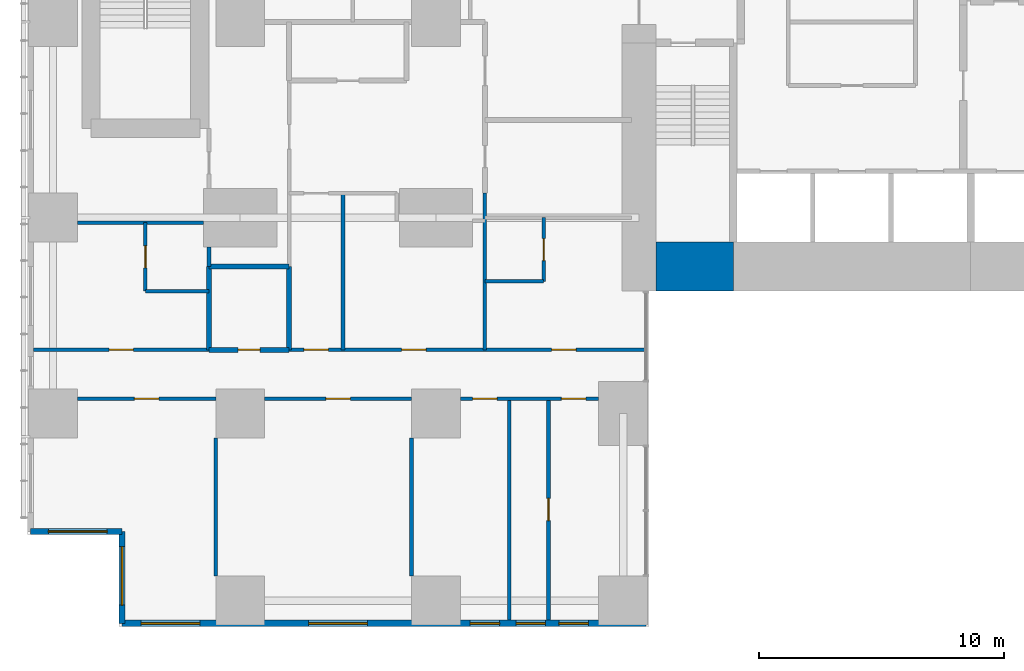
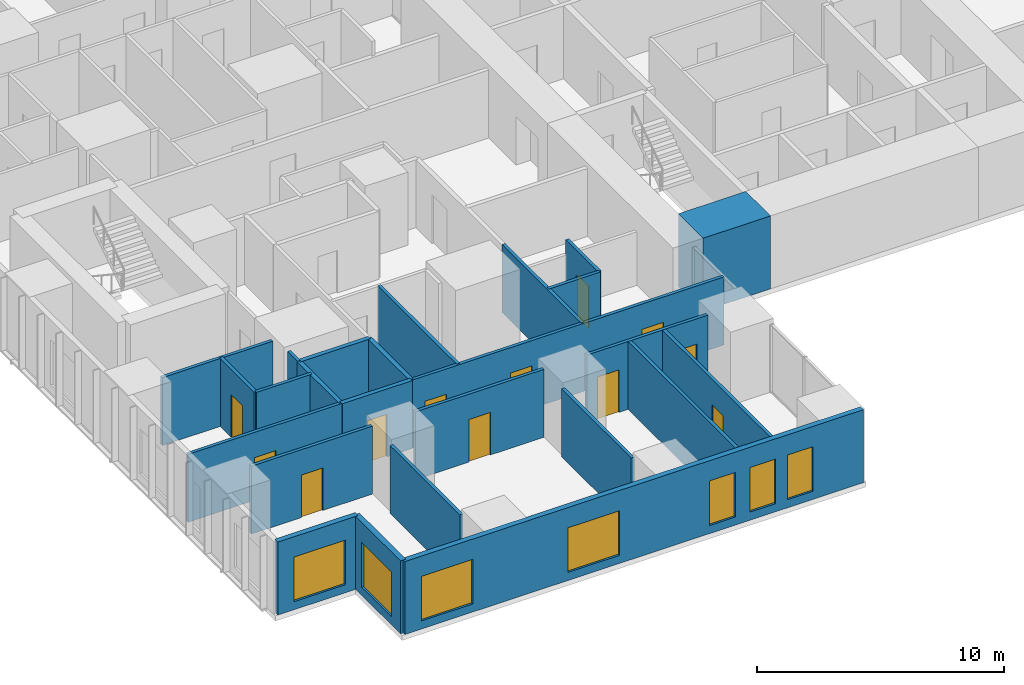
# One storey, part 12 of 20: 25 walls, 12 doors, 7 windows, 19 openings.
"""IFC4 building model written with IfcOpenShell, lengths in metres."""

from ifc_helpers import new_model, si_unit, direction, frame, frame_2d, origin, place, context, subcontext, project, spatial, rectangle, extrude, material, layer, layer_set, type_object, element, fill, save


model = new_model("IFC4")

# Units and contexts
model_context = context("Model", 3, precision=1e-05, world=origin(), true_north=direction((0.0, 1.0)))
body_context = subcontext(model_context, "Body", "Model", "MODEL_VIEW")
ifc_project = project(units=[si_unit("LENGTHUNIT", "METRE"), si_unit("AREAUNIT", "SQUARE_METRE"), si_unit("VOLUMEUNIT", "CUBIC_METRE"), si_unit("PLANEANGLEUNIT", "RADIAN"), si_unit("MASSUNIT", "GRAM", prefix="KILO")], contexts=[model_context])

# Site, building, storey
site_placement = place(None, origin())
site = spatial("IfcSite", under=ifc_project, at=site_placement, CompositionType="ELEMENT")
building_placement = place(site_placement, origin())
building = spatial("IfcBuilding", under=site, at=building_placement, Name="Cleftline Residences", CompositionType="ELEMENT")
storey_placement = place(building_placement, frame((0.0, 0.0, 157.39990234375)))
storey = spatial("IfcBuildingStorey", under=building, at=storey_placement, Name="L41", CompositionType="ELEMENT", Elevation=157.39990234375)

# Wall
ifc_material_1 = material(Name="Concrete B70", Category="concrete")
ifc_layer_1 = layer(ifc_material_1, 2.0)
ifc_layer_set_1 = layer_set([ifc_layer_1], Name="CORE WALL 2000")
wall_type_1 = type_object("IfcWallType", Name="CORE WALL 2000", PredefinedType="SHEAR", material=ifc_layer_set_1)
wall_1_placement = place(storey_placement, frame((25.0, 14.0, 0.0), z_axis=(0.0, 0.0, 1.0), x_axis=(1.0, 0.0, 0.0)))
element("IfcWall", 1, at=wall_1_placement, inside=storey, type_object=wall_type_1, Name="Core wall S1", PredefinedType="SHEAR", context=body_context, shape_type="SweptSolid", body=[
    extrude(rectangle(XDim=3.14990234375, YDim=2.0, at=frame_2d((1.574951171875, 0.0))), origin(), (0.0, 0.0, 1.0), 3.60009765625),
])

# Wall, opening, window
ifc_material_2 = material(Name="Rendered reinforced concrete blockwork", Category="masonry")
ifc_layer_2 = layer(ifc_material_2, 0.25)
ifc_layer_set_2 = layer_set([ifc_layer_2], Name="EXTERNAL WALL 250")
wall_type_2 = type_object("IfcWallType", Name="EXTERNAL WALL 250", PredefinedType="SOLIDWALL", material=ifc_layer_set_2)
wall_2_placement = place(storey_placement, frame((-0.574951171875, 3.175048828125, 0.0), z_axis=(0.0, 0.0, 1.0), x_axis=(1.0, 0.0, 0.0)))
wall_2 = element("IfcWall", 2, at=wall_2_placement, inside=storey, type_object=wall_type_2, Name="External wall", PredefinedType="SOLIDWALL", context=body_context, shape_type="SweptSolid", body=[
    extrude(rectangle(XDim=3.75, YDim=0.25, at=frame_2d((1.875, 0.0))), origin(), (0.0, 0.0, 1.0), 3.60009765625),
])
opening_1_placement = place(wall_2_placement, frame((0.737548828125, 0.0, 0.39990234375)))
opening_1 = element("IfcOpeningElement", 3, at=opening_1_placement, cuts=wall_2, Name="Opening W12", PredefinedType="OPENING", context=body_context, shape_type="SweptSolid", body=[
    extrude(rectangle(XDim=2.39990234375, YDim=2.199951171875, at=frame_2d((1.199951171875, 1.10009765625))), frame((0.0, 0.135009765625, 0.0), z_axis=(0.0, -1.0, 0.0), x_axis=(1.0, 0.0, 0.0)), (0.0, 0.0, 1.0), 0.27001953125),
])
ifc_material_3 = material(Name="Aluminium frame, clear double glazing", Category="aluminium")
window_type_1 = type_object("IfcWindowType", Name="WINDOW 2400X2200", PartitioningType="DOUBLE_PANEL_VERTICAL", PredefinedType="WINDOW", material=ifc_material_3)
window_1_placement = place(opening_1_placement, origin())
window_1 = element("IfcWindow", 4, at=window_1_placement, inside=storey, type_object=window_type_1, Name="Window", OverallHeight=2.199951171875, OverallWidth=2.39990234375, PartitioningType="SINGLE_PANEL", PredefinedType="WINDOW", context=body_context, shape_type="SweptSolid", body=[
    extrude(rectangle(XDim=2.39990234375, YDim=2.199951171875, at=frame_2d((1.199951171875, 1.10009765625))), frame((0.0, 0.030029296875, 0.0), z_axis=(0.0, -1.0, 0.0), x_axis=(1.0, 0.0, 0.0)), (0.0, 0.0, 1.0), 0.06005859375),
])
fill(opening_1, window_1)

wall_3_placement = place(storey_placement, frame((3.175048828125, 3.175048828125, 0.0), z_axis=(0.0, 0.0, 1.0), x_axis=(0.0, -1.0, 0.0)))
wall_3 = element("IfcWall", 5, at=wall_3_placement, inside=storey, type_object=wall_type_2, Name="External wall", PredefinedType="SOLIDWALL", context=body_context, shape_type="SweptSolid", body=[
    extrude(rectangle(XDim=3.75, YDim=0.25, at=frame_2d((1.875, 0.0))), origin(), (0.0, 0.0, 1.0), 3.60009765625),
])
opening_2_placement = place(wall_3_placement, frame((0.612548828125, 0.0, 0.39990234375)))
opening_2 = element("IfcOpeningElement", 6, at=opening_2_placement, cuts=wall_3, Name="Opening W12", PredefinedType="OPENING", context=body_context, shape_type="SweptSolid", body=[
    extrude(rectangle(XDim=2.39990234375, YDim=2.199951171875, at=frame_2d((1.199951171875, 1.10009765625))), frame((0.0, 0.135009765625, 0.0), z_axis=(0.0, -1.0, 0.0), x_axis=(1.0, 0.0, 0.0)), (0.0, 0.0, 1.0), 0.27001953125),
])
window_2_placement = place(opening_2_placement, origin())
window_2 = element("IfcWindow", 7, at=window_2_placement, inside=storey, type_object=window_type_1, Name="Window", OverallHeight=2.199951171875, OverallWidth=2.39990234375, PartitioningType="SINGLE_PANEL", PredefinedType="WINDOW", context=body_context, shape_type="SweptSolid", body=[
    extrude(rectangle(XDim=2.39990234375, YDim=2.199951171875, at=frame_2d((1.199951171875, 1.10009765625))), frame((0.0, 0.030029296875, 0.0), z_axis=(0.0, -1.0, 0.0), x_axis=(1.0, 0.0, 0.0)), (0.0, 0.0, 1.0), 0.06005859375),
])
fill(opening_2, window_2)

# Wall, openings, windows
wall_4_placement = place(storey_placement, frame((3.175048828125, -0.574951171875, 0.0), z_axis=(0.0, 0.0, 1.0), x_axis=(1.0, 0.0, 0.0)))
wall_4 = element("IfcWall", 8, at=wall_4_placement, inside=storey, type_object=wall_type_2, Name="External wall", PredefinedType="SOLIDWALL", context=body_context, shape_type="SweptSolid", body=[
    extrude(rectangle(XDim=21.39990234375, YDim=0.25, at=frame_2d((10.699951171875, 0.0))), origin(), (0.0, 0.0, 1.0), 3.60009765625),
])
opening_3_placement = place(wall_4_placement, frame((0.77490234375, 0.0, 0.39990234375)))
opening_3 = element("IfcOpeningElement", 9, at=opening_3_placement, cuts=wall_4, Name="Opening W12", PredefinedType="OPENING", context=body_context, shape_type="SweptSolid", body=[
    extrude(rectangle(XDim=2.39990234375, YDim=2.199951171875, at=frame_2d((1.199951171875, 1.10009765625))), frame((0.0, 0.135009765625, 0.0), z_axis=(0.0, -1.0, 0.0), x_axis=(1.0, 0.0, 0.0)), (0.0, 0.0, 1.0), 0.27001953125),
])
opening_4_placement = place(wall_4_placement, frame((7.625, 0.0, 0.39990234375)))
opening_4 = element("IfcOpeningElement", 10, at=opening_4_placement, cuts=wall_4, Name="Opening W12", PredefinedType="OPENING", context=body_context, shape_type="SweptSolid", body=[
    extrude(rectangle(XDim=2.39990234375, YDim=2.199951171875, at=frame_2d((1.199951171875, 1.10009765625))), frame((0.0, 0.135009765625, 0.0), z_axis=(0.0, -1.0, 0.0), x_axis=(1.0, 0.0, 0.0)), (0.0, 0.0, 1.0), 0.27001953125),
])
opening_5_placement = place(wall_4_placement, frame((14.22509765625, 0.0, 0.39990234375)))
opening_5 = element("IfcOpeningElement", 11, at=opening_5_placement, cuts=wall_4, Name="Opening W11", PredefinedType="OPENING", context=body_context, shape_type="SweptSolid", body=[
    extrude(rectangle(XDim=1.199951171875, YDim=2.199951171875, at=frame_2d((0.60009765625, 1.10009765625))), frame((0.0, 0.135009765625, 0.0), z_axis=(0.0, -1.0, 0.0), x_axis=(1.0, 0.0, 0.0)), (0.0, 0.0, 1.0), 0.27001953125),
])
opening_6_placement = place(wall_4_placement, frame((16.10009765625, 0.0, 0.39990234375)))
opening_6 = element("IfcOpeningElement", 12, at=opening_6_placement, cuts=wall_4, Name="Opening W11", PredefinedType="OPENING", context=body_context, shape_type="SweptSolid", body=[
    extrude(rectangle(XDim=1.199951171875, YDim=2.199951171875, at=frame_2d((0.60009765625, 1.10009765625))), frame((0.0, 0.135009765625, 0.0), z_axis=(0.0, -1.0, 0.0), x_axis=(1.0, 0.0, 0.0)), (0.0, 0.0, 1.0), 0.27001953125),
])
opening_7_placement = place(wall_4_placement, frame((17.85009765625, 0.0, 0.39990234375)))
opening_7 = element("IfcOpeningElement", 13, at=opening_7_placement, cuts=wall_4, Name="Opening W11", PredefinedType="OPENING", context=body_context, shape_type="SweptSolid", body=[
    extrude(rectangle(XDim=1.199951171875, YDim=2.199951171875, at=frame_2d((0.60009765625, 1.10009765625))), frame((0.0, 0.135009765625, 0.0), z_axis=(0.0, -1.0, 0.0), x_axis=(1.0, 0.0, 0.0)), (0.0, 0.0, 1.0), 0.27001953125),
])
ifc_material_4 = material(Name="Aluminium frame, clear double glazing", Category="aluminium")
window_type_2 = type_object("IfcWindowType", Name="WINDOW 1200X2200", PartitioningType="DOUBLE_PANEL_VERTICAL", PredefinedType="WINDOW", material=ifc_material_4)
window_3_placement = place(opening_5_placement, origin())
window_3 = element("IfcWindow", 14, at=window_3_placement, inside=storey, type_object=window_type_2, Name="Window", OverallHeight=2.199951171875, OverallWidth=1.199951171875, PartitioningType="SINGLE_PANEL", PredefinedType="WINDOW", context=body_context, shape_type="SweptSolid", body=[
    extrude(rectangle(XDim=1.199951171875, YDim=2.199951171875, at=frame_2d((0.60009765625, 1.10009765625))), frame((0.0, 0.030029296875, 0.0), z_axis=(0.0, -1.0, 0.0), x_axis=(1.0, 0.0, 0.0)), (0.0, 0.0, 1.0), 0.06005859375),
])
fill(opening_5, window_3)
window_4_placement = place(opening_6_placement, origin())
window_4 = element("IfcWindow", 15, at=window_4_placement, inside=storey, type_object=window_type_2, Name="Window", OverallHeight=2.199951171875, OverallWidth=1.199951171875, PartitioningType="SINGLE_PANEL", PredefinedType="WINDOW", context=body_context, shape_type="SweptSolid", body=[
    extrude(rectangle(XDim=1.199951171875, YDim=2.199951171875, at=frame_2d((0.60009765625, 1.10009765625))), frame((0.0, 0.030029296875, 0.0), z_axis=(0.0, -1.0, 0.0), x_axis=(1.0, 0.0, 0.0)), (0.0, 0.0, 1.0), 0.06005859375),
])
fill(opening_6, window_4)
window_5_placement = place(opening_7_placement, origin())
window_5 = element("IfcWindow", 16, at=window_5_placement, inside=storey, type_object=window_type_2, Name="Window", OverallHeight=2.199951171875, OverallWidth=1.199951171875, PartitioningType="SINGLE_PANEL", PredefinedType="WINDOW", context=body_context, shape_type="SweptSolid", body=[
    extrude(rectangle(XDim=1.199951171875, YDim=2.199951171875, at=frame_2d((0.60009765625, 1.10009765625))), frame((0.0, 0.030029296875, 0.0), z_axis=(0.0, -1.0, 0.0), x_axis=(1.0, 0.0, 0.0)), (0.0, 0.0, 1.0), 0.06005859375),
])
fill(opening_7, window_5)
window_6_placement = place(opening_3_placement, origin())
window_6 = element("IfcWindow", 17, at=window_6_placement, inside=storey, type_object=window_type_1, Name="Window", OverallHeight=2.199951171875, OverallWidth=2.39990234375, PartitioningType="SINGLE_PANEL", PredefinedType="WINDOW", context=body_context, shape_type="SweptSolid", body=[
    extrude(rectangle(XDim=2.39990234375, YDim=2.199951171875, at=frame_2d((1.199951171875, 1.10009765625))), frame((0.0, 0.030029296875, 0.0), z_axis=(0.0, -1.0, 0.0), x_axis=(1.0, 0.0, 0.0)), (0.0, 0.0, 1.0), 0.06005859375),
])
fill(opening_3, window_6)
window_7_placement = place(opening_4_placement, origin())
window_7 = element("IfcWindow", 18, at=window_7_placement, inside=storey, type_object=window_type_1, Name="Window", OverallHeight=2.199951171875, OverallWidth=2.39990234375, PartitioningType="SINGLE_PANEL", PredefinedType="WINDOW", context=body_context, shape_type="SweptSolid", body=[
    extrude(rectangle(XDim=2.39990234375, YDim=2.199951171875, at=frame_2d((1.199951171875, 1.10009765625))), frame((0.0, 0.030029296875, 0.0), z_axis=(0.0, -1.0, 0.0), x_axis=(1.0, 0.0, 0.0)), (0.0, 0.0, 1.0), 0.06005859375),
])
fill(opening_4, window_7)

# Wall, opening, door
ifc_material_5 = material(Name="Concrete blockwork, fire rated", Category="masonry")
ifc_layer_3 = layer(ifc_material_5, 0.199951171875)
ifc_layer_set_3 = layer_set([ifc_layer_3], Name="FIRE WALL 200")
wall_type_3 = type_object("IfcWallType", Name="FIRE WALL 200", PredefinedType="PARTITIONING", material=ifc_layer_set_3)
wall_5_placement = place(storey_placement, frame((6.72509765625, 10.60009765625, 0.0), z_axis=(0.0, 0.0, 1.0), x_axis=(1.0, 0.0, 0.0)))
wall_5 = element("IfcWall", 19, at=wall_5_placement, inside=storey, type_object=wall_type_3, Name="Fire separating wall", PredefinedType="PARTITIONING", context=body_context, shape_type="SweptSolid", body=[
    extrude(rectangle(XDim=3.27490234375, YDim=0.199951171875, at=frame_2d((1.637451171875, 0.0))), origin(), (0.0, 0.0, 1.0), 3.35009765625),
])
opening_8_placement = place(wall_5_placement, frame((1.1875, 0.0, 0.0)))
opening_8 = element("IfcOpeningElement", 20, at=opening_8_placement, cuts=wall_5, Name="Opening D1F30", PredefinedType="OPENING", context=body_context, shape_type="SweptSolid", body=[
    extrude(rectangle(XDim=0.89990234375, YDim=2.10009765625, at=frame_2d((0.449951171875, 1.050048828125))), frame((0.0, 0.10986328125, 0.0), z_axis=(0.0, -1.0, 0.0), x_axis=(1.0, 0.0, 0.0)), (0.0, 0.0, 1.0), 0.219970703125),
])
ifc_material_6 = material(Name="Timber veneer on solid core", Category="wood")
door_type_1 = type_object("IfcDoorType", Name="DOOR 900X2100 EI 30", OperationType="SINGLE_SWING_LEFT", PredefinedType="DOOR", material=ifc_material_6)
door_1_placement = place(opening_8_placement, origin())
door_1 = element("IfcDoor", 21, at=door_1_placement, inside=storey, type_object=door_type_1, Name="Door to guest wc", OperationType="SINGLE_SWING_LEFT", OverallHeight=2.10009765625, OverallWidth=0.89990234375, PredefinedType="DOOR", context=body_context, shape_type="SweptSolid", body=[
    extrude(rectangle(XDim=0.89990234375, YDim=2.10009765625, at=frame_2d((0.449951171875, 1.050048828125))), frame((0.0, 0.02490234375, 0.0), z_axis=(0.0, -1.0, 0.0), x_axis=(1.0, 0.0, 0.0)), (0.0, 0.0, 1.0), 0.050048828125),
])
fill(opening_8, door_1)

# Walls
wall_6_placement = place(storey_placement, frame((6.72509765625, 14.0, 0.0), z_axis=(0.0, 0.0, 1.0), x_axis=(1.0, 0.0, 0.0)))
element("IfcWall", 22, at=wall_6_placement, inside=storey, type_object=wall_type_3, Name="Fire separating wall", PredefinedType="PARTITIONING", context=body_context, shape_type="SweptSolid", body=[
    extrude(rectangle(XDim=3.27490234375, YDim=0.199951171875, at=frame_2d((1.637451171875, 0.0))), origin(), (0.0, 0.0, 1.0), 3.35009765625),
])
for number, where, z_axis, x_axis, name in (
    (23, (6.72509765625, 10.60009765625, 0.0), (0.0, 0.0, 1.0), (0.0, 1.0, 0.0), "Fire separating wall"),
    (24, (10.0, 10.60009765625, 0.0), (0.0, 0.0, 1.0), (0.0, 1.0, 0.0), "Fire separating wall"),
):
    element("IfcWall", number, at=place(storey_placement, frame(where, z_axis=z_axis, x_axis=x_axis)), inside=storey, type_object=wall_type_3, Name=name, PredefinedType="PARTITIONING", context=body_context, shape_type="SweptSolid", body=[
        extrude(rectangle(XDim=3.39990234375, YDim=0.199951171875, at=frame_2d((1.699951171875, 0.0))), origin(), (0.0, 0.0, 1.0), 3.35009765625),
    ])

# Wall, opening, door
ifc_material_7 = material(Name="Gypsum board on steel studs", Category="steel")
ifc_layer_4 = layer(ifc_material_7, 0.14990234375)
ifc_layer_set_4 = layer_set([ifc_layer_4], Name="PARTITION 150")
wall_type_4 = type_object("IfcWallType", Name="PARTITION 150", PredefinedType="PARTITIONING", material=ifc_layer_set_4)
wall_7_placement = place(storey_placement, frame((1.35009765625, 8.60009765625, 0.0), z_axis=(0.0, 0.0, 1.0), x_axis=(1.0, 0.0, 0.0)))
wall_7 = element("IfcWall", 25, at=wall_7_placement, inside=storey, type_object=wall_type_4, Name="Partition", PredefinedType="PARTITIONING", context=body_context, shape_type="SweptSolid", body=[
    extrude(rectangle(XDim=5.64990234375, YDim=0.14990234375, at=frame_2d((2.824951171875, 0.0))), origin(), (0.0, 0.0, 1.0), 3.35009765625),
])
opening_9_placement = place(wall_7_placement, frame((2.324951171875, 0.0, 0.0)))
opening_9 = element("IfcOpeningElement", 26, at=opening_9_placement, cuts=wall_7, Name="Opening D2", PredefinedType="OPENING", context=body_context, shape_type="SweptSolid", body=[
    extrude(rectangle(XDim=1.0, YDim=2.10009765625, at=frame_2d((0.5, 1.050048828125))), frame((0.0, 0.0849609375, 0.0), z_axis=(0.0, -1.0, 0.0), x_axis=(1.0, 0.0, 0.0)), (0.0, 0.0, 1.0), 0.169921875),
])
ifc_material_8 = material(Name="Timber veneer on solid core", Category="wood")
door_type_2 = type_object("IfcDoorType", Name="DOOR 1000X2100", OperationType="SINGLE_SWING_LEFT", PredefinedType="DOOR", material=ifc_material_8)
door_2_placement = place(opening_9_placement, origin())
door_2 = element("IfcDoor", 27, at=door_2_placement, inside=storey, type_object=door_type_2, Name="Door to winter garden", OperationType="SINGLE_SWING_LEFT", OverallHeight=2.10009765625, OverallWidth=1.0, PredefinedType="DOOR", context=body_context, shape_type="SweptSolid", body=[
    extrude(rectangle(XDim=1.0, YDim=2.10009765625, at=frame_2d((0.5, 1.050048828125))), frame((0.0, 0.02490234375, 0.0), z_axis=(0.0, -1.0, 0.0), x_axis=(1.0, 0.0, 0.0)), (0.0, 0.0, 1.0), 0.050048828125),
])
fill(opening_9, door_2)

wall_8_placement = place(storey_placement, frame((9.0, 8.60009765625, 0.0), z_axis=(0.0, 0.0, 1.0), x_axis=(1.0, 0.0, 0.0)))
wall_8 = element("IfcWall", 28, at=wall_8_placement, inside=storey, type_object=wall_type_4, Name="Partition", PredefinedType="PARTITIONING", context=body_context, shape_type="SweptSolid", body=[
    extrude(rectangle(XDim=6.0, YDim=0.14990234375, at=frame_2d((3.0, 0.0))), origin(), (0.0, 0.0, 1.0), 3.35009765625),
])
opening_10_placement = place(wall_8_placement, frame((2.5, 0.0, 0.0)))
opening_10 = element("IfcOpeningElement", 29, at=opening_10_placement, cuts=wall_8, Name="Opening D2", PredefinedType="OPENING", context=body_context, shape_type="SweptSolid", body=[
    extrude(rectangle(XDim=1.0, YDim=2.10009765625, at=frame_2d((0.5, 1.050048828125))), frame((0.0, 0.0849609375, 0.0), z_axis=(0.0, -1.0, 0.0), x_axis=(1.0, 0.0, 0.0)), (0.0, 0.0, 1.0), 0.169921875),
])
door_3_placement = place(opening_10_placement, origin())
door_3 = element("IfcDoor", 30, at=door_3_placement, inside=storey, type_object=door_type_2, Name="Door to living room", OperationType="SINGLE_SWING_LEFT", OverallHeight=2.10009765625, OverallWidth=1.0, PredefinedType="DOOR", context=body_context, shape_type="SweptSolid", body=[
    extrude(rectangle(XDim=1.0, YDim=2.10009765625, at=frame_2d((0.5, 1.050048828125))), frame((0.0, 0.02490234375, 0.0), z_axis=(0.0, -1.0, 0.0), x_axis=(1.0, 0.0, 0.0)), (0.0, 0.0, 1.0), 0.050048828125),
])
fill(opening_10, door_3)

# Wall, openings, doors
wall_9_placement = place(storey_placement, frame((17.0, 8.60009765625, 0.0), z_axis=(0.0, 0.0, 1.0), x_axis=(1.0, 0.0, 0.0)))
wall_9 = element("IfcWall", 31, at=wall_9_placement, inside=storey, type_object=wall_type_4, Name="Partition", PredefinedType="PARTITIONING", context=body_context, shape_type="SweptSolid", body=[
    extrude(rectangle(XDim=5.64990234375, YDim=0.14990234375, at=frame_2d((2.824951171875, 0.0))), origin(), (0.0, 0.0, 1.0), 3.35009765625),
])
opening_11_placement = place(wall_9_placement, frame((0.5, 0.0, 0.0)))
opening_11 = element("IfcOpeningElement", 32, at=opening_11_placement, cuts=wall_9, Name="Opening D2", PredefinedType="OPENING", context=body_context, shape_type="SweptSolid", body=[
    extrude(rectangle(XDim=1.0, YDim=2.10009765625, at=frame_2d((0.5, 1.050048828125))), frame((0.0, 0.0849609375, 0.0), z_axis=(0.0, -1.0, 0.0), x_axis=(1.0, 0.0, 0.0)), (0.0, 0.0, 1.0), 0.169921875),
])
opening_12_placement = place(wall_9_placement, frame((4.125, 0.0, 0.0)))
opening_12 = element("IfcOpeningElement", 33, at=opening_12_placement, cuts=wall_9, Name="Opening D2", PredefinedType="OPENING", context=body_context, shape_type="SweptSolid", body=[
    extrude(rectangle(XDim=1.0, YDim=2.10009765625, at=frame_2d((0.5, 1.050048828125))), frame((0.0, 0.0849609375, 0.0), z_axis=(0.0, -1.0, 0.0), x_axis=(1.0, 0.0, 0.0)), (0.0, 0.0, 1.0), 0.169921875),
])
door_4_placement = place(opening_11_placement, origin())
door_4 = element("IfcDoor", 34, at=door_4_placement, inside=storey, type_object=door_type_2, Name="Door to dining room", OperationType="SINGLE_SWING_RIGHT", OverallHeight=2.10009765625, OverallWidth=1.0, PredefinedType="DOOR", context=body_context, shape_type="SweptSolid", body=[
    extrude(rectangle(XDim=1.0, YDim=2.10009765625, at=frame_2d((0.5, 1.050048828125))), frame((0.0, 0.02490234375, 0.0), z_axis=(0.0, -1.0, 0.0), x_axis=(1.0, 0.0, 0.0)), (0.0, 0.0, 1.0), 0.050048828125),
])
fill(opening_11, door_4)
door_5_placement = place(opening_12_placement, origin())
door_5 = element("IfcDoor", 35, at=door_5_placement, inside=storey, type_object=door_type_2, Name="Door to show kitchen", OperationType="SINGLE_SWING_LEFT", OverallHeight=2.10009765625, OverallWidth=1.0, PredefinedType="DOOR", context=body_context, shape_type="SweptSolid", body=[
    extrude(rectangle(XDim=1.0, YDim=2.10009765625, at=frame_2d((0.5, 1.050048828125))), frame((0.0, 0.02490234375, 0.0), z_axis=(0.0, -1.0, 0.0), x_axis=(1.0, 0.0, 0.0)), (0.0, 0.0, 1.0), 0.050048828125),
])
fill(opening_12, door_5)

# Wall, opening, door
wall_10_placement = place(storey_placement, frame((-0.449951171875, 10.60009765625, 0.0), z_axis=(0.0, 0.0, 1.0), x_axis=(1.0, 0.0, 0.0)))
wall_10 = element("IfcWall", 36, at=wall_10_placement, inside=storey, type_object=wall_type_4, Name="Partition", PredefinedType="PARTITIONING", context=body_context, shape_type="SweptSolid", body=[
    extrude(rectangle(XDim=7.175048828125, YDim=0.14990234375, at=frame_2d((3.58740234375, 0.0))), origin(), (0.0, 0.0, 1.0), 3.35009765625),
])
opening_13_placement = place(wall_10_placement, frame((3.08740234375, 0.0, 0.0)))
opening_13 = element("IfcOpeningElement", 37, at=opening_13_placement, cuts=wall_10, Name="Opening D2", PredefinedType="OPENING", context=body_context, shape_type="SweptSolid", body=[
    extrude(rectangle(XDim=1.0, YDim=2.10009765625, at=frame_2d((0.5, 1.050048828125))), frame((0.0, 0.0849609375, 0.0), z_axis=(0.0, -1.0, 0.0), x_axis=(1.0, 0.0, 0.0)), (0.0, 0.0, 1.0), 0.169921875),
])
door_6_placement = place(opening_13_placement, origin())
door_6 = element("IfcDoor", 38, at=door_6_placement, inside=storey, type_object=door_type_2, Name="Door to master bedroom", OperationType="SINGLE_SWING_LEFT", OverallHeight=2.10009765625, OverallWidth=1.0, PredefinedType="DOOR", context=body_context, shape_type="SweptSolid", body=[
    extrude(rectangle(XDim=1.0, YDim=2.10009765625, at=frame_2d((0.5, 1.050048828125))), frame((0.0, 0.02490234375, 0.0), z_axis=(0.0, -1.0, 0.0), x_axis=(1.0, 0.0, 0.0)), (0.0, 0.0, 1.0), 0.050048828125),
])
fill(opening_13, door_6)

# Wall, openings, doors
wall_11_placement = place(storey_placement, frame((10.0, 10.60009765625, 0.0), z_axis=(0.0, 0.0, 1.0), x_axis=(1.0, 0.0, 0.0)))
wall_11 = element("IfcWall", 39, at=wall_11_placement, inside=storey, type_object=wall_type_4, Name="Partition", PredefinedType="PARTITIONING", context=body_context, shape_type="SweptSolid", body=[
    extrude(rectangle(XDim=14.56103515625, YDim=0.14990234375, at=frame_2d((7.280517578125, 0.0))), origin(), (0.0, 0.0, 1.0), 3.35009765625),
])
opening_14_placement = place(wall_11_placement, frame((0.60009765625, 0.0, 0.0)))
opening_14 = element("IfcOpeningElement", 40, at=opening_14_placement, cuts=wall_11, Name="Opening D2F30", PredefinedType="OPENING", context=body_context, shape_type="SweptSolid", body=[
    extrude(rectangle(XDim=1.0, YDim=2.10009765625, at=frame_2d((0.5, 1.050048828125))), frame((0.0, 0.0849609375, 0.0), z_axis=(0.0, -1.0, 0.0), x_axis=(1.0, 0.0, 0.0)), (0.0, 0.0, 1.0), 0.169921875),
])
opening_15_placement = place(wall_11_placement, frame((4.60009765625, 0.0, 0.0)))
opening_15 = element("IfcOpeningElement", 41, at=opening_15_placement, cuts=wall_11, Name="Opening D2F30", PredefinedType="OPENING", context=body_context, shape_type="SweptSolid", body=[
    extrude(rectangle(XDim=1.0, YDim=2.10009765625, at=frame_2d((0.5, 1.050048828125))), frame((0.0, 0.0849609375, 0.0), z_axis=(0.0, -1.0, 0.0), x_axis=(1.0, 0.0, 0.0)), (0.0, 0.0, 1.0), 0.169921875),
])
opening_16_placement = place(wall_11_placement, frame((10.72509765625, 0.0, 0.0)))
opening_16 = element("IfcOpeningElement", 42, at=opening_16_placement, cuts=wall_11, Name="Opening D2F30", PredefinedType="OPENING", context=body_context, shape_type="SweptSolid", body=[
    extrude(rectangle(XDim=1.0, YDim=2.10009765625, at=frame_2d((0.5, 1.050048828125))), frame((0.0, 0.0849609375, 0.0), z_axis=(0.0, -1.0, 0.0), x_axis=(1.0, 0.0, 0.0)), (0.0, 0.0, 1.0), 0.169921875),
])
ifc_material_9 = material(Name="Timber veneer on solid core", Category="wood")
door_type_3 = type_object("IfcDoorType", Name="DOOR 1000X2100 EI 30", OperationType="SINGLE_SWING_LEFT", PredefinedType="DOOR", material=ifc_material_9)
door_7_placement = place(opening_14_placement, origin())
door_7 = element("IfcDoor", 43, at=door_7_placement, inside=storey, type_object=door_type_3, Name="Door to residence hall (gallery)", OperationType="SINGLE_SWING_RIGHT", OverallHeight=2.10009765625, OverallWidth=1.0, PredefinedType="DOOR", context=body_context, shape_type="SweptSolid", body=[
    extrude(rectangle(XDim=1.0, YDim=2.10009765625, at=frame_2d((0.5, 1.050048828125))), frame((0.0, 0.02490234375, 0.0), z_axis=(0.0, -1.0, 0.0), x_axis=(1.0, 0.0, 0.0)), (0.0, 0.0, 1.0), 0.050048828125),
])
fill(opening_14, door_7)
door_8_placement = place(opening_15_placement, origin())
door_8 = element("IfcDoor", 44, at=door_8_placement, inside=storey, type_object=door_type_3, Name="Door to study", OperationType="SINGLE_SWING_RIGHT", OverallHeight=2.10009765625, OverallWidth=1.0, PredefinedType="DOOR", context=body_context, shape_type="SweptSolid", body=[
    extrude(rectangle(XDim=1.0, YDim=2.10009765625, at=frame_2d((0.5, 1.050048828125))), frame((0.0, 0.02490234375, 0.0), z_axis=(0.0, -1.0, 0.0), x_axis=(1.0, 0.0, 0.0)), (0.0, 0.0, 1.0), 0.050048828125),
])
fill(opening_15, door_8)
door_9_placement = place(opening_16_placement, origin())
door_9 = element("IfcDoor", 45, at=door_9_placement, inside=storey, type_object=door_type_3, Name="Door to bedroom 2", OperationType="SINGLE_SWING_LEFT", OverallHeight=2.10009765625, OverallWidth=1.0, PredefinedType="DOOR", context=body_context, shape_type="SweptSolid", body=[
    extrude(rectangle(XDim=1.0, YDim=2.10009765625, at=frame_2d((0.5, 1.050048828125))), frame((0.0, 0.02490234375, 0.0), z_axis=(0.0, -1.0, 0.0), x_axis=(1.0, 0.0, 0.0)), (0.0, 0.0, 1.0), 0.050048828125),
])
fill(opening_16, door_9)

# Walls
wall_12_placement = place(storey_placement, frame((4.125, 13.0, 0.0), z_axis=(0.0, 0.0, 1.0), x_axis=(1.0, 0.0, 0.0)))
element("IfcWall", 46, at=wall_12_placement, inside=storey, type_object=wall_type_4, Name="Partition", PredefinedType="PARTITIONING", context=body_context, shape_type="SweptSolid", body=[
    extrude(rectangle(XDim=2.60009765625, YDim=0.14990234375, at=frame_2d((1.300048828125, 0.0))), origin(), (0.0, 0.0, 1.0), 3.35009765625),
])
wall_13_placement = place(storey_placement, frame((18.0, 13.39990234375, 0.0), z_axis=(0.0, 0.0, 1.0), x_axis=(1.0, 0.0, 0.0)))
element("IfcWall", 47, at=wall_13_placement, inside=storey, type_object=wall_type_4, Name="Partition", PredefinedType="PARTITIONING", context=body_context, shape_type="SweptSolid", body=[
    extrude(rectangle(XDim=2.39990234375, YDim=0.14990234375, at=frame_2d((1.199951171875, 0.0))), origin(), (0.0, 0.0, 1.0), 3.35009765625),
])
wall_14_placement = place(storey_placement, frame((1.35009765625, 15.800048828125, 0.0), z_axis=(0.0, 0.0, 1.0), x_axis=(1.0, 0.0, 0.0)))
element("IfcWall", 48, at=wall_14_placement, inside=storey, type_object=wall_type_4, Name="Partition", PredefinedType="PARTITIONING", context=body_context, shape_type="SweptSolid", body=[
    extrude(rectangle(XDim=5.14990234375, YDim=0.14990234375, at=frame_2d((2.574951171875, 0.0))), origin(), (0.0, 0.0, 1.0), 3.35009765625),
])

# Wall, opening, door
wall_15_placement = place(storey_placement, frame((4.125, 13.0, 0.0), z_axis=(0.0, 0.0, 1.0), x_axis=(0.0, 1.0, 0.0)))
wall_15 = element("IfcWall", 49, at=wall_15_placement, inside=storey, type_object=wall_type_4, Name="Partition", PredefinedType="PARTITIONING", context=body_context, shape_type="SweptSolid", body=[
    extrude(rectangle(XDim=2.800048828125, YDim=0.14990234375, at=frame_2d((1.39990234375, 0.0))), origin(), (0.0, 0.0, 1.0), 3.35009765625),
])
opening_17_placement = place(wall_15_placement, frame((0.949951171875, 0.0, 0.0)))
opening_17 = element("IfcOpeningElement", 50, at=opening_17_placement, cuts=wall_15, Name="Opening D1", PredefinedType="OPENING", context=body_context, shape_type="SweptSolid", body=[
    extrude(rectangle(XDim=0.89990234375, YDim=2.10009765625, at=frame_2d((0.449951171875, 1.050048828125))), frame((0.0, 0.0849609375, 0.0), z_axis=(0.0, -1.0, 0.0), x_axis=(1.0, 0.0, 0.0)), (0.0, 0.0, 1.0), 0.169921875),
])
ifc_material_10 = material(Name="Timber veneer on solid core", Category="wood")
door_type_4 = type_object("IfcDoorType", Name="DOOR 900X2100", OperationType="SINGLE_SWING_LEFT", PredefinedType="DOOR", material=ifc_material_10)
door_10_placement = place(opening_17_placement, origin())
door_10 = element("IfcDoor", 51, at=door_10_placement, inside=storey, type_object=door_type_4, Name="Door to master bathroom", OperationType="SINGLE_SWING_LEFT", OverallHeight=2.10009765625, OverallWidth=0.89990234375, PredefinedType="DOOR", context=body_context, shape_type="SweptSolid", body=[
    extrude(rectangle(XDim=0.89990234375, YDim=2.10009765625, at=frame_2d((0.449951171875, 1.050048828125))), frame((0.0, 0.02490234375, 0.0), z_axis=(0.0, -1.0, 0.0), x_axis=(1.0, 0.0, 0.0)), (0.0, 0.0, 1.0), 0.050048828125),
])
fill(opening_17, door_10)

# Walls
wall_16_placement = place(storey_placement, frame((6.72509765625, 14.0, 0.0), z_axis=(0.0, 0.0, 1.0), x_axis=(0.0, 1.0, 0.0)))
element("IfcWall", 52, at=wall_16_placement, inside=storey, type_object=wall_type_4, Name="Partition", PredefinedType="PARTITIONING", context=body_context, shape_type="SweptSolid", body=[
    extrude(rectangle(XDim=0.800048828125, YDim=0.14990234375, at=frame_2d((0.39990234375, 0.0))), origin(), (0.0, 0.0, 1.0), 3.35009765625),
])
wall_17_placement = place(storey_placement, frame((7.0, 1.35009765625, 0.0), z_axis=(0.0, 0.0, 1.0), x_axis=(0.0, 1.0, 0.0)))
element("IfcWall", 53, at=wall_17_placement, inside=storey, type_object=wall_type_4, Name="Partition", PredefinedType="PARTITIONING", context=body_context, shape_type="SweptSolid", body=[
    extrude(rectangle(XDim=5.64990234375, YDim=0.14990234375, at=frame_2d((2.824951171875, 0.0))), origin(), (0.0, 0.0, 1.0), 3.35009765625),
])
wall_18_placement = place(storey_placement, frame((12.199951171875, 10.60009765625, 0.0), z_axis=(0.0, 0.0, 1.0), x_axis=(0.0, 1.0, 0.0)))
element("IfcWall", 54, at=wall_18_placement, inside=storey, type_object=wall_type_4, Name="Partition", PredefinedType="PARTITIONING", context=body_context, shape_type="SweptSolid", body=[
    extrude(rectangle(XDim=6.39990234375, YDim=0.14990234375, at=frame_2d((3.199951171875, 0.0))), origin(), (0.0, 0.0, 1.0), 3.35009765625),
])
wall_19_placement = place(storey_placement, frame((15.0, 1.35009765625, 0.0), z_axis=(0.0, 0.0, 1.0), x_axis=(0.0, 1.0, 0.0)))
element("IfcWall", 55, at=wall_19_placement, inside=storey, type_object=wall_type_4, Name="Partition", PredefinedType="PARTITIONING", context=body_context, shape_type="SweptSolid", body=[
    extrude(rectangle(XDim=5.64990234375, YDim=0.14990234375, at=frame_2d((2.824951171875, 0.0))), origin(), (0.0, 0.0, 1.0), 3.35009765625),
])
wall_20_placement = place(storey_placement, frame((18.0, 10.60009765625, 0.0), z_axis=(0.0, 0.0, 1.0), x_axis=(0.0, 1.0, 0.0)))
element("IfcWall", 56, at=wall_20_placement, inside=storey, type_object=wall_type_4, Name="Partition", PredefinedType="PARTITIONING", context=body_context, shape_type="SweptSolid", body=[
    extrude(rectangle(XDim=6.39990234375, YDim=0.14990234375, at=frame_2d((3.199951171875, 0.0))), origin(), (0.0, 0.0, 1.0), 3.35009765625),
])
wall_21_placement = place(storey_placement, frame((19.0, -0.449951171875, 0.0), z_axis=(0.0, 0.0, 1.0), x_axis=(0.0, 1.0, 0.0)))
element("IfcWall", 57, at=wall_21_placement, inside=storey, type_object=wall_type_4, Name="Partition", PredefinedType="PARTITIONING", context=body_context, shape_type="SweptSolid", body=[
    extrude(rectangle(XDim=9.050048828125, YDim=0.14990234375, at=frame_2d((4.52490234375, 0.0))), origin(), (0.0, 0.0, 1.0), 3.35009765625),
])

# Wall, opening, door
wall_22_placement = place(storey_placement, frame((20.39990234375, 13.39990234375, 0.0), z_axis=(0.0, 0.0, 1.0), x_axis=(0.0, 1.0, 0.0)))
wall_22 = element("IfcWall", 58, at=wall_22_placement, inside=storey, type_object=wall_type_4, Name="Partition", PredefinedType="PARTITIONING", context=body_context, shape_type="SweptSolid", body=[
    extrude(rectangle(XDim=2.60009765625, YDim=0.14990234375, at=frame_2d((1.300048828125, 0.0))), origin(), (0.0, 0.0, 1.0), 3.35009765625),
])
opening_18_placement = place(wall_22_placement, frame((0.85009765625, 0.0, 0.0)))
opening_18 = element("IfcOpeningElement", 59, at=opening_18_placement, cuts=wall_22, Name="Opening D1", PredefinedType="OPENING", context=body_context, shape_type="SweptSolid", body=[
    extrude(rectangle(XDim=0.89990234375, YDim=2.10009765625, at=frame_2d((0.449951171875, 1.050048828125))), frame((0.0, 0.0849609375, 0.0), z_axis=(0.0, -1.0, 0.0), x_axis=(1.0, 0.0, 0.0)), (0.0, 0.0, 1.0), 0.169921875),
])
door_11_placement = place(opening_18_placement, origin())
door_11 = element("IfcDoor", 60, at=door_11_placement, inside=storey, type_object=door_type_4, Name="Door to en-suite bathroom 2", OperationType="SINGLE_SWING_LEFT", OverallHeight=2.10009765625, OverallWidth=0.89990234375, PredefinedType="DOOR", context=body_context, shape_type="SweptSolid", body=[
    extrude(rectangle(XDim=0.89990234375, YDim=2.10009765625, at=frame_2d((0.449951171875, 1.050048828125))), frame((0.0, 0.02490234375, 0.0), z_axis=(0.0, -1.0, 0.0), x_axis=(1.0, 0.0, 0.0)), (0.0, 0.0, 1.0), 0.050048828125),
])
fill(opening_18, door_11)

wall_23_placement = place(storey_placement, frame((20.60009765625, -0.449951171875, 0.0), z_axis=(0.0, 0.0, 1.0), x_axis=(0.0, 1.0, 0.0)))
wall_23 = element("IfcWall", 61, at=wall_23_placement, inside=storey, type_object=wall_type_4, Name="Partition", PredefinedType="PARTITIONING", context=body_context, shape_type="SweptSolid", body=[
    extrude(rectangle(XDim=9.050048828125, YDim=0.14990234375, at=frame_2d((4.52490234375, 0.0))), origin(), (0.0, 0.0, 1.0), 3.35009765625),
])
opening_19_placement = place(wall_23_placement, frame((4.074951171875, 0.0, 0.0)))
opening_19 = element("IfcOpeningElement", 62, at=opening_19_placement, cuts=wall_23, Name="Opening D1", PredefinedType="OPENING", context=body_context, shape_type="SweptSolid", body=[
    extrude(rectangle(XDim=0.89990234375, YDim=2.10009765625, at=frame_2d((0.449951171875, 1.050048828125))), frame((0.0, 0.0849609375, 0.0), z_axis=(0.0, -1.0, 0.0), x_axis=(1.0, 0.0, 0.0)), (0.0, 0.0, 1.0), 0.169921875),
])
door_12_placement = place(opening_19_placement, origin())
door_12 = element("IfcDoor", 63, at=door_12_placement, inside=storey, type_object=door_type_4, Name="Door to kitchen store", OperationType="SINGLE_SWING_LEFT", OverallHeight=2.10009765625, OverallWidth=0.89990234375, PredefinedType="DOOR", context=body_context, shape_type="SweptSolid", body=[
    extrude(rectangle(XDim=0.89990234375, YDim=2.10009765625, at=frame_2d((0.449951171875, 1.050048828125))), frame((0.0, 0.02490234375, 0.0), z_axis=(0.0, -1.0, 0.0), x_axis=(1.0, 0.0, 0.0)), (0.0, 0.0, 1.0), 0.050048828125),
])
fill(opening_19, door_12)

save(model, "model.ifc")
